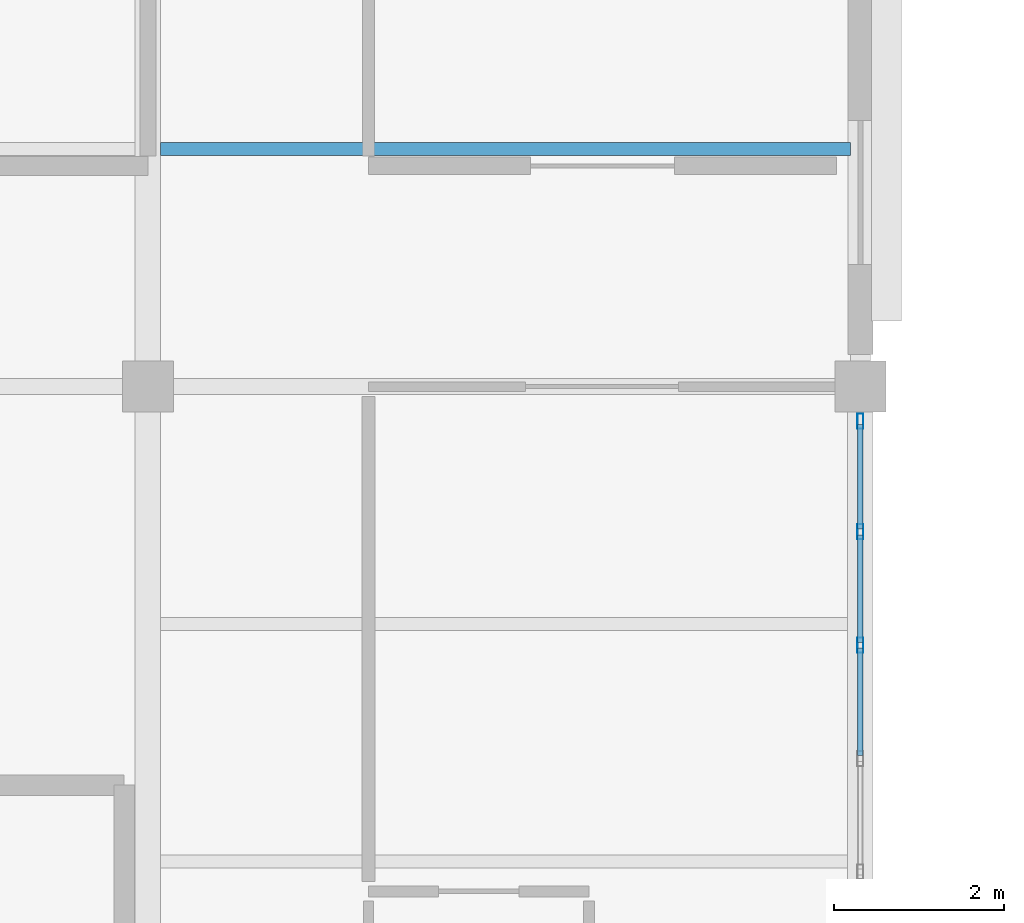
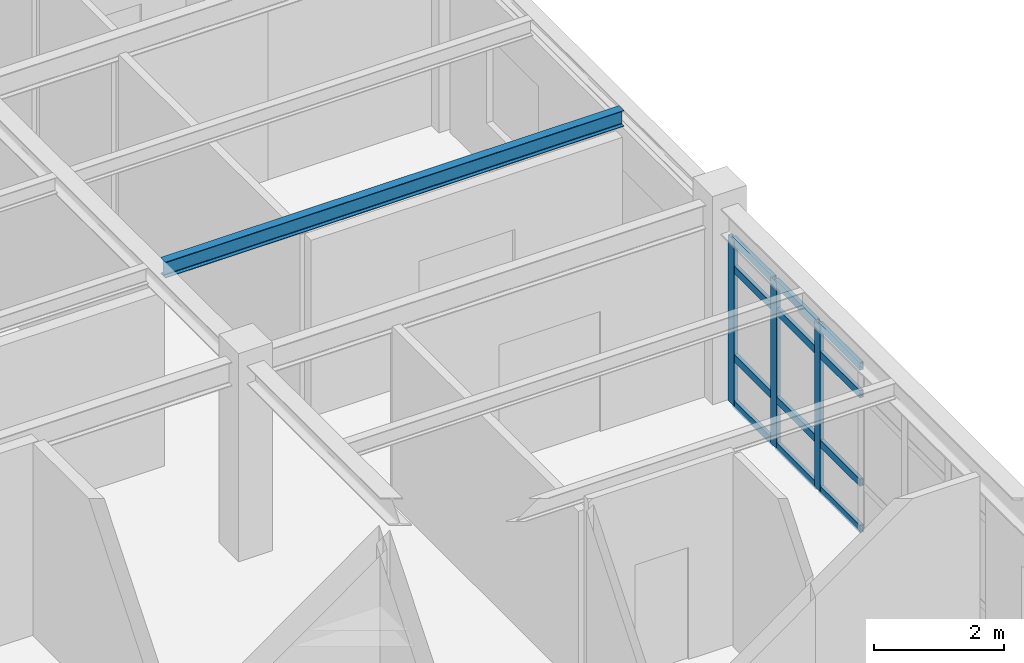
# One storey, part 23 of 86: 15 members, 1 beam, 1 element without a shape of its own.
"""IFC4 building model written with IfcOpenShell, lengths in metres."""

from ifc_helpers import new_model, si_unit, direction, frame, origin, origin_2d, place, context, subcontext, project, spatial, hollow_rectangle, i_section, extrude, material, layer, layer_set, material_profile, profile_set, type_object, element, aggregate, save


model = new_model("IFC4")

# Units and contexts
model_context = context("Model", 3, precision=1e-05, world=origin(), true_north=direction((0.0, 1.0)))
body_context = subcontext(model_context, "Body", "Model", "MODEL_VIEW")
ifc_project = project(units=[si_unit("LENGTHUNIT", "METRE"), si_unit("AREAUNIT", "SQUARE_METRE"), si_unit("VOLUMEUNIT", "CUBIC_METRE"), si_unit("PLANEANGLEUNIT", "RADIAN"), si_unit("MASSUNIT", "GRAM", prefix="KILO")], contexts=[model_context])

# Site, building, storey
site_placement = place(None, origin())
site = spatial("IfcSite", under=ifc_project, at=site_placement, CompositionType="ELEMENT")
building_placement = place(site_placement, origin())
building = spatial("IfcBuilding", under=site, at=building_placement, Name="Bramfleet General Hospital", CompositionType="ELEMENT")
storey_placement = place(building_placement, frame((0.0, 0.0, 18.60009765625)))
storey = spatial("IfcBuildingStorey", under=building, at=storey_placement, Name="L04", CompositionType="ELEMENT", Elevation=18.60009765625)

# Beam
ifc_material_1 = material(Name="Steel S355", Category="steel")
ifc_material_profile_1 = material_profile(ifc_material_1, i_section(OverallWidth=0.14990234375, OverallDepth=0.300048828125, WebThickness=0.007080078125, FlangeThickness=0.0107421875, FilletRadius=0.014892578125, at=origin_2d()), Name="IPE 300")
ifc_profile_set_1 = profile_set([ifc_material_profile_1], Name="Steel S355")
beam_type = type_object("IfcBeamType", Name="BM-IPE300", PredefinedType="JOIST", material=ifc_profile_set_1)
beam_placement = place(storey_placement, frame((109.35009765625, 78.39990234375, 3.469970703125), z_axis=(1.0, 0.0, 0.0), x_axis=(0.0, 1.0, 0.0)))
element("IfcBeam", 1, at=beam_placement, inside=storey, type_object=beam_type, Name="L04 Secondary Joist 13-09-1", PredefinedType="JOIST", context=body_context, shape_type="SweptSolid", body=[
    extrude(i_section(OverallWidth=0.14990234375, OverallDepth=0.300048828125, WebThickness=0.007080078125, FlangeThickness=0.0107421875, FilletRadius=0.014892578125, at=origin_2d()), origin(), (0.0, 0.0, 1.0), 8.1298828125),
])

# Curtain wall, members
ifc_material_2 = material(Name="Anodised aluminium and low-E triple glazing", Category="aluminium")
ifc_layer = layer(ifc_material_2, 0.179931640625, Name="CWT-CW-12")
ifc_layer_set = layer_set([ifc_layer], Name="Anodised aluminium and low-E triple glazing")
curtain_wall_type = type_object("IfcCurtainWallType", Name="CWT-CW-12", PredefinedType="USERDEFINED", material=ifc_layer_set)
curtain_wall_placement = place(storey_placement, origin())
curtain_wall = element("IfcCurtainWall", 2, at=curtain_wall_placement, inside=storey, type_object=curtain_wall_type, Name="L04 Curtain Wall 192", ObjectType="Stick curtain wall", PredefinedType="USERDEFINED")
ifc_material_3 = material(Name="Anodised aluminium EN AW-6060", Category="aluminium")
ifc_material_profile_2 = material_profile(ifc_material_3, hollow_rectangle(XDim=0.070068359375, YDim=0.179931640625, WallThickness=0.00390625, at=origin_2d()), Name="ALU 180x70x4.0")
ifc_profile_set_2 = profile_set([ifc_material_profile_2], Name="Anodised aluminium EN AW-6060")
member_type_1 = type_object("IfcMemberType", Name="CWM-ALU180", PredefinedType="MULLION", material=ifc_profile_set_2)
member_1_placement = place(storey_placement, frame((117.60009765625, 75.18994140625, 0.0), z_axis=(0.0, 0.0, 1.0), x_axis=(1.0, 0.0, 0.0)))
member_1 = element("IfcMember", 3, at=member_1_placement, type_object=member_type_1, Name="CW-12 mullion 1", PredefinedType="MULLION", context=body_context, shape_type="SweptSolid", body=[
    extrude(hollow_rectangle(XDim=0.070068359375, YDim=0.179931640625, WallThickness=0.00390625, at=origin_2d()), origin(), (0.0, 0.0, 1.0), 3.10986328125),
])
member_2_placement = place(storey_placement, frame((117.60009765625, 73.887451171875, 0.0), z_axis=(0.0, 0.0, 1.0), x_axis=(1.0, 0.0, 0.0)))
member_2 = element("IfcMember", 4, at=member_2_placement, type_object=member_type_1, Name="CW-12 mullion 2", PredefinedType="MULLION", context=body_context, shape_type="SweptSolid", body=[
    extrude(hollow_rectangle(XDim=0.070068359375, YDim=0.179931640625, WallThickness=0.00390625, at=origin_2d()), origin(), (0.0, 0.0, 1.0), 3.10986328125),
])
member_3_placement = place(storey_placement, frame((117.60009765625, 72.550048828125, 0.0), z_axis=(0.0, 0.0, 1.0), x_axis=(1.0, 0.0, 0.0)))
member_3 = element("IfcMember", 5, at=member_3_placement, type_object=member_type_1, Name="CW-12 mullion 3", PredefinedType="MULLION", context=body_context, shape_type="SweptSolid", body=[
    extrude(hollow_rectangle(XDim=0.070068359375, YDim=0.179931640625, WallThickness=0.00390625, at=origin_2d()), origin(), (0.0, 0.0, 1.0), 3.10986328125),
])
ifc_material_profile_3 = material_profile(ifc_material_3, hollow_rectangle(XDim=0.06494140625, YDim=0.139892578125, WallThickness=0.00390625, at=origin_2d()), Name="ALU 140x65x4.0")
ifc_profile_set_3 = profile_set([ifc_material_profile_3], Name="Anodised aluminium EN AW-6060")
member_type_2 = type_object("IfcMemberType", Name="CWT-ALU140", PredefinedType="USERDEFINED", material=ifc_profile_set_3)
member_4_placement = place(storey_placement, frame((117.60009765625, 75.155029296875, 0.032470703125), z_axis=(0.0, -1.0, 0.0), x_axis=(1.0, 0.0, 0.0)))
member_4 = element("IfcMember", 6, at=member_4_placement, type_object=member_type_2, Name="CW-12 transom 1.1", ObjectType="TRANSOM", PredefinedType="USERDEFINED", context=body_context, shape_type="SweptSolid", body=[
    extrude(hollow_rectangle(XDim=0.06494140625, YDim=0.139892578125, WallThickness=0.00390625, at=origin_2d()), origin(), (0.0, 0.0, 1.0), 1.232421875),
])
member_5_placement = place(storey_placement, frame((117.60009765625, 75.155029296875, 0.89990234375), z_axis=(0.0, -1.0, 0.0), x_axis=(1.0, 0.0, 0.0)))
member_5 = element("IfcMember", 7, at=member_5_placement, type_object=member_type_2, Name="CW-12 transom 1.2", ObjectType="TRANSOM", PredefinedType="USERDEFINED", context=body_context, shape_type="SweptSolid", body=[
    extrude(hollow_rectangle(XDim=0.06494140625, YDim=0.139892578125, WallThickness=0.00390625, at=origin_2d()), origin(), (0.0, 0.0, 1.0), 1.232421875),
])
member_6_placement = place(storey_placement, frame((117.60009765625, 75.155029296875, 2.559814453125), z_axis=(0.0, -1.0, 0.0), x_axis=(1.0, 0.0, 0.0)))
member_6 = element("IfcMember", 8, at=member_6_placement, type_object=member_type_2, Name="CW-12 transom 1.3", ObjectType="TRANSOM", PredefinedType="USERDEFINED", context=body_context, shape_type="SweptSolid", body=[
    extrude(hollow_rectangle(XDim=0.06494140625, YDim=0.139892578125, WallThickness=0.00390625, at=origin_2d()), origin(), (0.0, 0.0, 1.0), 1.232421875),
])
member_7_placement = place(storey_placement, frame((117.60009765625, 75.155029296875, 3.077392578125), z_axis=(0.0, -1.0, 0.0), x_axis=(1.0, 0.0, 0.0)))
member_7 = element("IfcMember", 9, at=member_7_placement, type_object=member_type_2, Name="CW-12 transom 1.4", ObjectType="TRANSOM", PredefinedType="USERDEFINED", context=body_context, shape_type="SweptSolid", body=[
    extrude(hollow_rectangle(XDim=0.06494140625, YDim=0.139892578125, WallThickness=0.00390625, at=origin_2d()), origin(), (0.0, 0.0, 1.0), 1.232421875),
])
member_8_placement = place(storey_placement, frame((117.60009765625, 73.8525390625, 0.032470703125), z_axis=(0.0, -1.0, 0.0), x_axis=(1.0, 0.0, 0.0)))
member_8 = element("IfcMember", 10, at=member_8_placement, type_object=member_type_2, Name="CW-12 transom 2.1", ObjectType="TRANSOM", PredefinedType="USERDEFINED", context=body_context, shape_type="SweptSolid", body=[
    extrude(hollow_rectangle(XDim=0.06494140625, YDim=0.139892578125, WallThickness=0.00390625, at=origin_2d()), origin(), (0.0, 0.0, 1.0), 1.267578125),
])
member_9_placement = place(storey_placement, frame((117.60009765625, 73.8525390625, 0.89990234375), z_axis=(0.0, -1.0, 0.0), x_axis=(1.0, 0.0, 0.0)))
member_9 = element("IfcMember", 11, at=member_9_placement, type_object=member_type_2, Name="CW-12 transom 2.2", ObjectType="TRANSOM", PredefinedType="USERDEFINED", context=body_context, shape_type="SweptSolid", body=[
    extrude(hollow_rectangle(XDim=0.06494140625, YDim=0.139892578125, WallThickness=0.00390625, at=origin_2d()), origin(), (0.0, 0.0, 1.0), 1.267578125),
])
member_10_placement = place(storey_placement, frame((117.60009765625, 73.8525390625, 2.559814453125), z_axis=(0.0, -1.0, 0.0), x_axis=(1.0, 0.0, 0.0)))
member_10 = element("IfcMember", 12, at=member_10_placement, type_object=member_type_2, Name="CW-12 transom 2.3", ObjectType="TRANSOM", PredefinedType="USERDEFINED", context=body_context, shape_type="SweptSolid", body=[
    extrude(hollow_rectangle(XDim=0.06494140625, YDim=0.139892578125, WallThickness=0.00390625, at=origin_2d()), origin(), (0.0, 0.0, 1.0), 1.267578125),
])
member_11_placement = place(storey_placement, frame((117.60009765625, 73.8525390625, 3.077392578125), z_axis=(0.0, -1.0, 0.0), x_axis=(1.0, 0.0, 0.0)))
member_11 = element("IfcMember", 13, at=member_11_placement, type_object=member_type_2, Name="CW-12 transom 2.4", ObjectType="TRANSOM", PredefinedType="USERDEFINED", context=body_context, shape_type="SweptSolid", body=[
    extrude(hollow_rectangle(XDim=0.06494140625, YDim=0.139892578125, WallThickness=0.00390625, at=origin_2d()), origin(), (0.0, 0.0, 1.0), 1.267578125),
])
member_12_placement = place(storey_placement, frame((117.60009765625, 72.514892578125, 0.032470703125), z_axis=(0.0, -1.0, 0.0), x_axis=(1.0, 0.0, 0.0)))
member_12 = element("IfcMember", 14, at=member_12_placement, type_object=member_type_2, Name="CW-12 transom 3.1", ObjectType="TRANSOM", PredefinedType="USERDEFINED", context=body_context, shape_type="SweptSolid", body=[
    extrude(hollow_rectangle(XDim=0.06494140625, YDim=0.139892578125, WallThickness=0.00390625, at=origin_2d()), origin(), (0.0, 0.0, 1.0), 1.267333984375),
])
member_13_placement = place(storey_placement, frame((117.60009765625, 72.514892578125, 0.89990234375), z_axis=(0.0, -1.0, 0.0), x_axis=(1.0, 0.0, 0.0)))
member_13 = element("IfcMember", 15, at=member_13_placement, type_object=member_type_2, Name="CW-12 transom 3.2", ObjectType="TRANSOM", PredefinedType="USERDEFINED", context=body_context, shape_type="SweptSolid", body=[
    extrude(hollow_rectangle(XDim=0.06494140625, YDim=0.139892578125, WallThickness=0.00390625, at=origin_2d()), origin(), (0.0, 0.0, 1.0), 1.267333984375),
])
member_14_placement = place(storey_placement, frame((117.60009765625, 72.514892578125, 2.559814453125), z_axis=(0.0, -1.0, 0.0), x_axis=(1.0, 0.0, 0.0)))
member_14 = element("IfcMember", 16, at=member_14_placement, type_object=member_type_2, Name="CW-12 transom 3.3", ObjectType="TRANSOM", PredefinedType="USERDEFINED", context=body_context, shape_type="SweptSolid", body=[
    extrude(hollow_rectangle(XDim=0.06494140625, YDim=0.139892578125, WallThickness=0.00390625, at=origin_2d()), origin(), (0.0, 0.0, 1.0), 1.267333984375),
])
member_15_placement = place(storey_placement, frame((117.60009765625, 72.514892578125, 3.077392578125), z_axis=(0.0, -1.0, 0.0), x_axis=(1.0, 0.0, 0.0)))
member_15 = element("IfcMember", 17, at=member_15_placement, type_object=member_type_2, Name="CW-12 transom 3.4", ObjectType="TRANSOM", PredefinedType="USERDEFINED", context=body_context, shape_type="SweptSolid", body=[
    extrude(hollow_rectangle(XDim=0.06494140625, YDim=0.139892578125, WallThickness=0.00390625, at=origin_2d()), origin(), (0.0, 0.0, 1.0), 1.267333984375),
])
aggregate(curtain_wall, [member_1, member_2, member_3, member_4, member_5, member_6, member_7, member_8, member_9, member_10, member_11, member_12, member_13, member_14, member_15])

save(model, "model.ifc")
